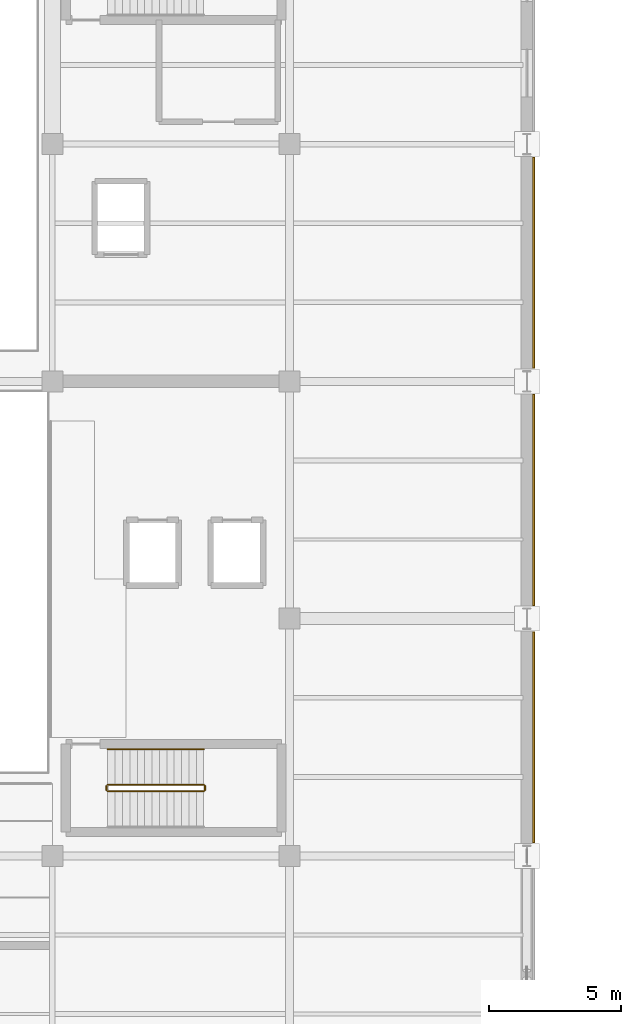
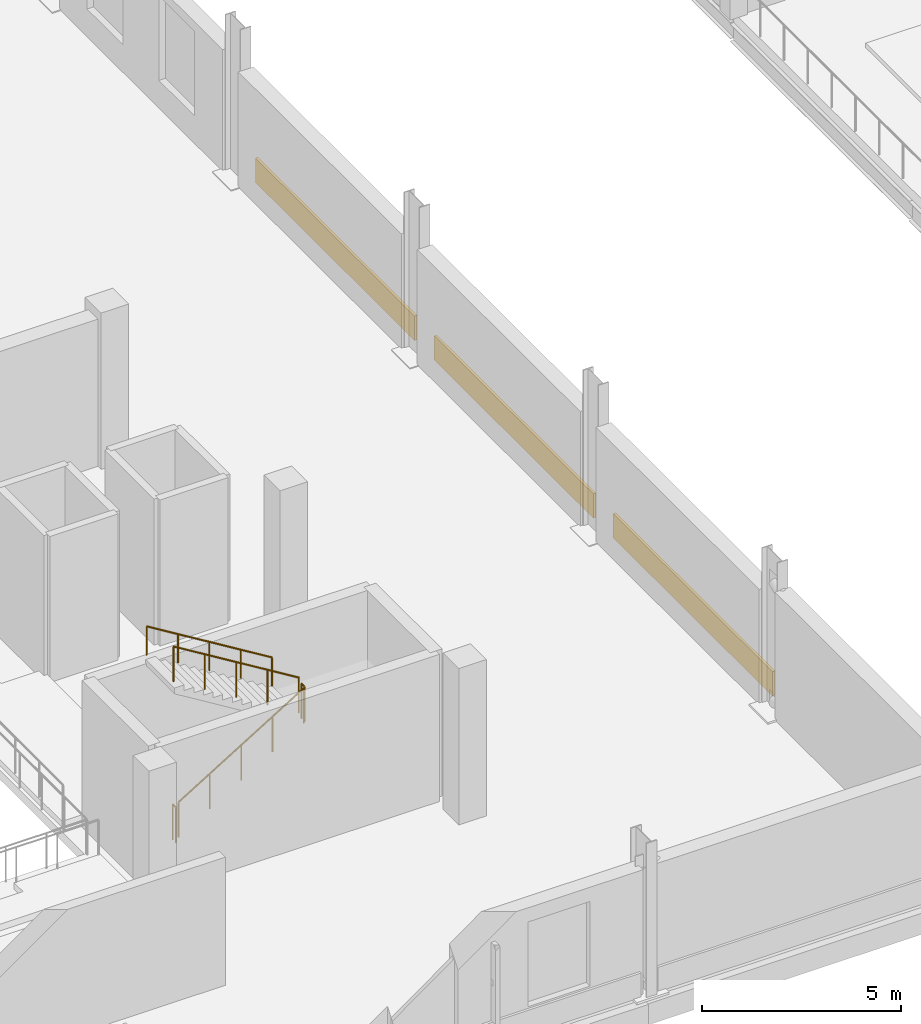
# One storey, part 48 of 54: 5 railings, 3 coverings.
"""IFC4 building model written with IfcOpenShell, lengths in metres."""

from ifc_helpers import new_model, si_unit, direction, frame, origin, origin_2d, place, context, subcontext, project, spatial, rectangle, circle, extrude, material, layer, layer_set, type_object, element, save


model = new_model("IFC4")

# Units and contexts
model_context = context("Model", 3, precision=1e-05, world=origin(), true_north=direction((0.0, 1.0)))
body_context = subcontext(model_context, "Body", "Model", "MODEL_VIEW")
ifc_project = project(units=[si_unit("LENGTHUNIT", "METRE"), si_unit("AREAUNIT", "SQUARE_METRE"), si_unit("VOLUMEUNIT", "CUBIC_METRE"), si_unit("PLANEANGLEUNIT", "RADIAN"), si_unit("MASSUNIT", "GRAM", prefix="KILO")], contexts=[model_context])

# Site, building, storey
site_placement = place(None, origin())
site = spatial("IfcSite", under=ifc_project, at=site_placement, CompositionType="ELEMENT")
building_placement = place(site_placement, origin())
building = spatial("IfcBuilding", under=site, at=building_placement, Name="Sundgate Opera House", CompositionType="ELEMENT")
storey_placement = place(building_placement, frame((0.0, 0.0, 16.800048828125)))
storey = spatial("IfcBuildingStorey", under=building, at=storey_placement, Name="L03", CompositionType="ELEMENT", Elevation=16.800048828125)

# Coverings
ifc_material_1 = material(Name="Deep-carved Komstad limestone relief panel", Category="masonry")
ifc_layer_1 = layer(ifc_material_1, 0.094970703125)
ifc_layer_set_1 = layer_set([ifc_layer_1], Name="Deep-carved Komstad limestone relief panel")
covering_type_1 = type_object("IfcCoveringType", Name="CV-TRENC-DEEP", PredefinedType="CLADDING", material=ifc_layer_set_1)
covering_1_placement = place(storey_placement, frame((81.257568359375, 46.5, 0.044921875), z_axis=(0.0, 0.0, 1.0), x_axis=(0.0, 1.0, 0.0)))
element("IfcCovering", 1, at=covering_1_placement, inside=storey, type_object=covering_type_1, Name="L03 Trencadis 750mm Relief Band CV0040", PredefinedType="CLADDING", context=body_context, shape_type="SweptSolid", body=[
    extrude(rectangle(XDim=8.010009765625, YDim=0.074951171875, at=origin_2d()), origin(), (0.0, 0.0, 1.0), 0.75),
])
ifc_material_2 = material(Name="Frost-proof vitrified stoneware trencadis relief tile", Category="masonry")
ifc_layer_2 = layer(ifc_material_2, 0.074951171875)
ifc_layer_set_2 = layer_set([ifc_layer_2], Name="Frost-proof vitrified stoneware trencadis relief tile")
covering_type_2 = type_object("IfcCoveringType", Name="CV-TRENC-RELIEF", PredefinedType="CLADDING", material=ifc_layer_set_2)
covering_2_placement = place(storey_placement, frame((81.257568359375, 64.5, 0.044921875), z_axis=(0.0, 0.0, 1.0), x_axis=(0.0, 1.0, 0.0)))
element("IfcCovering", 2, at=covering_2_placement, inside=storey, type_object=covering_type_2, Name="L03 Trencadis 750mm Relief Band CV0044", PredefinedType="CLADDING", context=body_context, shape_type="SweptSolid", body=[
    extrude(rectangle(XDim=8.010009765625, YDim=0.074951171875, at=origin_2d()), origin(), (0.0, 0.0, 1.0), 0.75),
])
ifc_material_3 = material(Name="Polychrome trencadis mosaic panel", Category="masonry")
ifc_layer_3 = layer(ifc_material_3, 0.054931640625)
ifc_layer_set_3 = layer_set([ifc_layer_3], Name="Polychrome trencadis mosaic panel")
covering_type_3 = type_object("IfcCoveringType", Name="CV-TRENC-SLIM", PredefinedType="CLADDING", material=ifc_layer_set_3)
covering_3_placement = place(storey_placement, frame((81.257568359375, 55.5, 0.044921875), z_axis=(0.0, 0.0, 1.0), x_axis=(0.0, 1.0, 0.0)))
element("IfcCovering", 3, at=covering_3_placement, inside=storey, type_object=covering_type_3, Name="L03 Trencadis 750mm Relief Band CV0042", PredefinedType="CLADDING", context=body_context, shape_type="SweptSolid", body=[
    extrude(rectangle(XDim=8.010009765625, YDim=0.074951171875, at=origin_2d()), origin(), (0.0, 0.0, 1.0), 0.75),
])

# Railings
ifc_material_4 = material(Name="Painted steel S275 guardrail", Category="steel")
railing_type_1 = type_object("IfcRailingType", Name="RL-STAIR-GUARD-1100", PredefinedType="GUARDRAIL", material=ifc_material_4)
railing_1_placement = place(storey_placement, frame((65.10009765625, 44.449951171875, 0.17138671875)))
element("IfcRailing", 4, at=railing_1_placement, inside=storey, type_object=railing_type_1, Name="ST03L03 Guardrail RL0114", PredefinedType="GUARDRAIL", context=body_context, shape_type="SweptSolid", body=[
    extrude(circle(Radius=0.02392578125, at=origin_2d()), frame((0.0, 0.0, 1.076171875), z_axis=(0.852850264322, 0.0, 0.5221555579), x_axis=(0.0, 1.0, 0.0)), (0.0, 0.0, 1.0), 4.267822265625),
    extrude(circle(Radius=0.02099609375, at=origin_2d()), origin(), (0.0, 0.0, 1.0), 1.052001953125),
    extrude(circle(Radius=0.02099609375, at=origin_2d()), frame((0.909912109375, 0.0, 0.55712890625)), (0.0, 0.0, 1.0), 1.052001953125),
    extrude(circle(Radius=0.02099609375, at=origin_2d()), frame((1.81982421875, 0.0, 1.1142578125)), (0.0, 0.0, 1.0), 1.052001953125),
    extrude(circle(Radius=0.02099609375, at=origin_2d()), frame((2.72998046875, 0.0, 1.67138671875)), (0.0, 0.0, 1.0), 1.052001953125),
    extrude(circle(Radius=0.02099609375, at=origin_2d()), frame((3.639892578125, 0.0, 2.228515625)), (0.0, 0.0, 1.0), 1.052001953125),
])
railing_2_placement = place(storey_placement, frame((68.7900390625, 44.5, 2.39990234375)))
element("IfcRailing", 5, at=railing_2_placement, inside=storey, type_object=railing_type_1, Name="ST03L03 Guardrail RL0115", PredefinedType="GUARDRAIL", context=body_context, shape_type="SweptSolid", body=[
    extrude(circle(Radius=0.02392578125, at=origin_2d()), frame((0.0, 0.0, 1.076171875), z_axis=(0.0, 1.0, 0.0), x_axis=(-1.0, 0.0, 0.0)), (0.0, 0.0, 1.0), 0.14990234375),
    extrude(circle(Radius=0.02099609375, at=origin_2d()), origin(), (0.0, 0.0, 1.0), 1.052001953125),
    extrude(circle(Radius=0.02099609375, at=origin_2d()), frame((0.0, 0.14990234375, 0.0)), (0.0, 0.0, 1.0), 1.052001953125),
])
railing_3_placement = place(storey_placement, frame((68.739990234375, 44.699951171875, 2.5712890625)))
element("IfcRailing", 6, at=railing_3_placement, inside=storey, type_object=railing_type_1, Name="ST03L03 Guardrail RL0116", PredefinedType="GUARDRAIL", context=body_context, shape_type="SweptSolid", body=[
    extrude(circle(Radius=0.02392578125, at=origin_2d()), frame((0.0, 0.0, 1.076171875), z_axis=(-0.852824790078, 0.0, 0.522197163366), x_axis=(0.0, -1.0, 0.0)), (0.0, 0.0, 1.0), 4.26806640625),
    extrude(circle(Radius=0.02099609375, at=origin_2d()), origin(), (0.0, 0.0, 1.0), 1.052001953125),
    extrude(circle(Radius=0.02099609375, at=origin_2d()), frame((-0.909912109375, 0.0, 0.55712890625)), (0.0, 0.0, 1.0), 1.052001953125),
    extrude(circle(Radius=0.02099609375, at=origin_2d()), frame((-1.81982421875, 0.0, 1.1142578125)), (0.0, 0.0, 1.0), 1.052001953125),
    extrude(circle(Radius=0.02099609375, at=origin_2d()), frame((-2.72998046875, 0.0, 1.671630859375)), (0.0, 0.0, 1.0), 1.052001953125),
    extrude(circle(Radius=0.02099609375, at=origin_2d()), frame((-3.639892578125, 0.0, 2.228759765625)), (0.0, 0.0, 1.0), 1.052001953125),
])
railing_4_placement = place(storey_placement, frame((65.050048828125, 44.5, 0.0)))
element("IfcRailing", 7, at=railing_4_placement, inside=storey, type_object=railing_type_1, Name="ST03L03 Guardrail RL0117", PredefinedType="GUARDRAIL", context=body_context, shape_type="SweptSolid", body=[
    extrude(circle(Radius=0.02392578125, at=origin_2d()), frame((0.0, 0.0, 1.076171875), z_axis=(0.0, 1.0, 0.0), x_axis=(-1.0, 0.0, 0.0)), (0.0, 0.0, 1.0), 0.14990234375),
    extrude(circle(Radius=0.02099609375, at=origin_2d()), origin(), (0.0, 0.0, 1.0), 1.052001953125),
    extrude(circle(Radius=0.02099609375, at=origin_2d()), frame((0.0, 0.14990234375, 0.0)), (0.0, 0.0, 1.0), 1.052001953125),
])
ifc_material_5 = material(Name="Brushed stainless steel handrail", Category="steel")
railing_type_2 = type_object("IfcRailingType", Name="RL-STAIR-HAND-900", PredefinedType="HANDRAIL", material=ifc_material_5)
railing_5_placement = place(storey_placement, frame((68.739990234375, 46.050048828125, 2.5712890625)))
element("IfcRailing", 8, at=railing_5_placement, inside=storey, type_object=railing_type_2, Name="ST03L03 Handrail RL0119", PredefinedType="HANDRAIL", context=body_context, shape_type="SweptSolid", body=[
    extrude(circle(Radius=0.02392578125, at=origin_2d()), frame((0.0, 0.0, 0.8759765625), z_axis=(-0.852824790078, 0.0, 0.522197163366), x_axis=(0.0, -1.0, 0.0)), (0.0, 0.0, 1.0), 4.26806640625),
    extrude(circle(Radius=0.02099609375, at=origin_2d()), origin(), (0.0, 0.0, 1.0), 0.851806640625),
    extrude(circle(Radius=0.02099609375, at=origin_2d()), frame((-0.909912109375, 0.0, 0.55712890625)), (0.0, 0.0, 1.0), 0.851806640625),
    extrude(circle(Radius=0.02099609375, at=origin_2d()), frame((-1.81982421875, 0.0, 1.1142578125)), (0.0, 0.0, 1.0), 0.851806640625),
    extrude(circle(Radius=0.02099609375, at=origin_2d()), frame((-2.72998046875, 0.0, 1.671630859375)), (0.0, 0.0, 1.0), 0.851806640625),
    extrude(circle(Radius=0.02099609375, at=origin_2d()), frame((-3.639892578125, 0.0, 2.228759765625)), (0.0, 0.0, 1.0), 0.851806640625),
])

save(model, "model.ifc")
